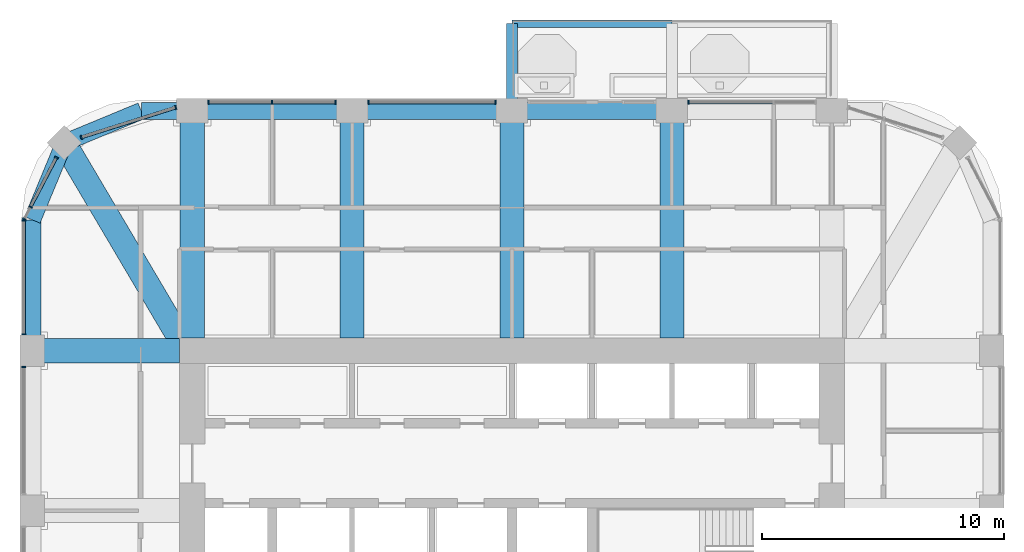
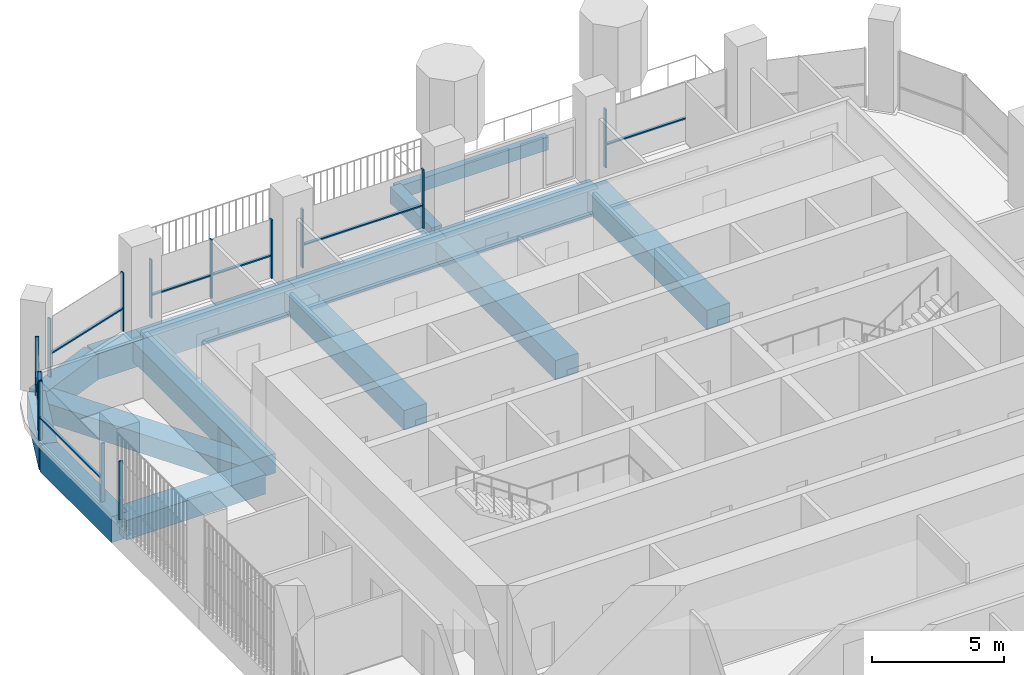
# One storey, part 6 of 21: 21 members, 15 beams, 7 elements without a shape of their own.
"""IFC4 building model written with IfcOpenShell, lengths in metres."""

from ifc_helpers import new_model, si_unit, direction, frame, origin, origin_2d, place, context, subcontext, project, spatial, rectangle, extrude, material, material_profile, profile_set, type_object, element, aggregate, save


model = new_model("IFC4")

# Units and contexts
model_context = context("Model", 3, precision=1e-05, world=origin(), true_north=direction((0.0, 1.0)))
body_context = subcontext(model_context, "Body", "Model", "MODEL_VIEW")
ifc_project = project(units=[si_unit("LENGTHUNIT", "METRE"), si_unit("AREAUNIT", "SQUARE_METRE"), si_unit("VOLUMEUNIT", "CUBIC_METRE"), si_unit("PLANEANGLEUNIT", "RADIAN"), si_unit("MASSUNIT", "GRAM", prefix="KILO")], contexts=[model_context])

# Site, building, storey
site_placement = place(None, origin())
site = spatial("IfcSite", under=ifc_project, at=site_placement, CompositionType="ELEMENT")
building_placement = place(site_placement, origin())
building = spatial("IfcBuilding", under=site, at=building_placement, Name="Cobogo Forest Laboratory Tower", CompositionType="ELEMENT")
storey_placement = place(building_placement, frame((0.0, 0.0, 250.199951171875)))
storey = spatial("IfcBuildingStorey", under=building, at=storey_placement, Name="L57", CompositionType="ELEMENT", Elevation=250.199951171875)

# Beams
ifc_material_1 = material(Name="Concrete HA-40 (C40/50)", Category="concrete")
ifc_material_profile_1 = material_profile(ifc_material_1, rectangle(XDim=0.449951171875, YDim=0.75, at=origin_2d()), Name="RC 450x750")
ifc_profile_set_1 = profile_set([ifc_material_profile_1], Name="Concrete HA-40 (C40/50)")
beam_type_1 = type_object("IfcBeamType", Name="Balcony cantilever beam 450x750", PredefinedType="BEAM", material=ifc_profile_set_1)
beam_1_placement = place(storey_placement, frame((26.39990234375, 43.35009765625, -0.625), z_axis=(0.0, 1.0, 0.0), x_axis=(-1.0, 0.0, 0.0)))
element("IfcBeam", 1, at=beam_1_placement, inside=storey, type_object=beam_type_1, Name="CB1 BAL-N1-C1 L57", PredefinedType="BEAM", context=body_context, shape_type="SweptSolid", body=[
    extrude(rectangle(XDim=0.449951171875, YDim=0.75, at=origin_2d()), origin(), (0.0, 0.0, 1.0), 3.14990234375),
])
ifc_material_profile_2 = material_profile(ifc_material_1, rectangle(XDim=0.300048828125, YDim=0.60009765625, at=origin_2d()), Name="RC 300x600")
ifc_profile_set_2 = profile_set([ifc_material_profile_2], Name="Concrete HA-40 (C40/50)")
beam_type_2 = type_object("IfcBeamType", Name="Balcony edge beam 300x600", PredefinedType="BEAM", material=ifc_profile_set_2)
beam_2_placement = place(storey_placement, frame((26.39990234375, 46.5, -0.550048828125), z_axis=(1.0, 0.0, 0.0), x_axis=(0.0, 1.0, 0.0)))
element("IfcBeam", 2, at=beam_2_placement, inside=storey, type_object=beam_type_2, Name="BB1 BAL-N1-T1 L57", PredefinedType="BEAM", context=body_context, shape_type="SweptSolid", body=[
    extrude(rectangle(XDim=0.300048828125, YDim=0.60009765625, at=origin_2d()), origin(), (0.0, 0.0, 1.0), 6.60009765625),
])

# Curtain wall, member
ifc_material_2 = material(Name="Aluminium curtain wall", Category="aluminium")
curtain_wall_type = type_object("IfcCurtainWallType", Name="CW-2 unitised curtain wall, solar control glazing, laboratory floors zones C and D", PredefinedType="USERDEFINED", material=ifc_material_2)
curtain_wall_1_placement = place(storey_placement, origin())
curtain_wall_1 = element("IfcCurtainWall", 3, at=curtain_wall_1_placement, inside=storey, type_object=curtain_wall_type, Name="Curtain wall 14 L57", ObjectType="UNITISED CURTAIN WALL", PredefinedType="USERDEFINED")
ifc_material_3 = material(Name="Aluminium mullion", Category="aluminium")
ifc_material_profile_3 = material_profile(ifc_material_3, rectangle(XDim=0.06005859375, YDim=0.159912109375, at=origin_2d()), Name="AL 60x160")
ifc_profile_set_3 = profile_set([ifc_material_profile_3], Name="Aluminium mullion")
member_type_1 = type_object("IfcMemberType", Name="MU-1 aluminium mullion 60x160", PredefinedType="MULLION", material=ifc_profile_set_3)
member_1_placement = place(storey_placement, frame((33.679931640625, 43.25, 0.0), z_axis=(0.0, 0.0, 1.0), x_axis=(-1.0, 0.0, 0.0)))
member_1 = element("IfcMember", 4, at=member_1_placement, type_object=member_type_1, Name="CW-2 mullion 3", PredefinedType="MULLION", context=body_context, shape_type="SweptSolid", body=[
    extrude(rectangle(XDim=0.06005859375, YDim=0.159912109375, at=origin_2d()), origin(), (0.0, 0.0, 1.0), 2.699951171875),
])

# Curtain wall, members
curtain_wall_2_placement = place(storey_placement, origin())
curtain_wall_2 = element("IfcCurtainWall", 5, at=curtain_wall_2_placement, inside=storey, type_object=curtain_wall_type, Name="Curtain wall 16 L57", ObjectType="UNITISED CURTAIN WALL", PredefinedType="USERDEFINED")
member_2_placement = place(storey_placement, frame((25.719970703125, 43.25, 0.0), z_axis=(0.0, 0.0, 1.0), x_axis=(-1.0, 0.0, 0.0)))
member_2 = element("IfcMember", 6, at=member_2_placement, type_object=member_type_1, Name="CW-2 mullion 1", PredefinedType="MULLION", context=body_context, shape_type="SweptSolid", body=[
    extrude(rectangle(XDim=0.06005859375, YDim=0.159912109375, at=origin_2d()), origin(), (0.0, 0.0, 1.0), 2.699951171875),
])
member_3_placement = place(storey_placement, frame((20.47998046875, 43.25, 0.0), z_axis=(0.0, 0.0, 1.0), x_axis=(-1.0, 0.0, 0.0)))
member_3 = element("IfcMember", 7, at=member_3_placement, type_object=member_type_1, Name="CW-2 mullion 2", PredefinedType="MULLION", context=body_context, shape_type="SweptSolid", body=[
    extrude(rectangle(XDim=0.06005859375, YDim=0.159912109375, at=origin_2d()), origin(), (0.0, 0.0, 1.0), 2.699951171875),
])

curtain_wall_3_placement = place(storey_placement, origin())
curtain_wall_3 = element("IfcCurtainWall", 8, at=curtain_wall_3_placement, inside=storey, type_object=curtain_wall_type, Name="Curtain wall 17 L57", ObjectType="UNITISED CURTAIN WALL", PredefinedType="USERDEFINED")
member_4_placement = place(storey_placement, frame((19.1201171875, 43.25, 0.0), z_axis=(0.0, 0.0, 1.0), x_axis=(-1.0, 0.0, 0.0)))
member_4 = element("IfcMember", 9, at=member_4_placement, type_object=member_type_1, Name="CW-2 mullion 1", PredefinedType="MULLION", context=body_context, shape_type="SweptSolid", body=[
    extrude(rectangle(XDim=0.06005859375, YDim=0.159912109375, at=origin_2d()), origin(), (0.0, 0.0, 1.0), 2.699951171875),
])
member_5_placement = place(storey_placement, frame((16.5, 43.25, 0.0), z_axis=(0.0, 0.0, 1.0), x_axis=(-1.0, 0.0, 0.0)))
member_5 = element("IfcMember", 10, at=member_5_placement, type_object=member_type_1, Name="CW-2 mullion 2", PredefinedType="MULLION", context=body_context, shape_type="SweptSolid", body=[
    extrude(rectangle(XDim=0.06005859375, YDim=0.159912109375, at=origin_2d()), origin(), (0.0, 0.0, 1.0), 2.699951171875),
])
member_6_placement = place(storey_placement, frame((13.8798828125, 43.25, 0.0), z_axis=(0.0, 0.0, 1.0), x_axis=(-1.0, 0.0, 0.0)))
member_6 = element("IfcMember", 11, at=member_6_placement, type_object=member_type_1, Name="CW-2 mullion 3", PredefinedType="MULLION", context=body_context, shape_type="SweptSolid", body=[
    extrude(rectangle(XDim=0.06005859375, YDim=0.159912109375, at=origin_2d()), origin(), (0.0, 0.0, 1.0), 2.699951171875),
])

curtain_wall_4_placement = place(storey_placement, origin())
curtain_wall_4 = element("IfcCurtainWall", 12, at=curtain_wall_4_placement, inside=storey, type_object=curtain_wall_type, Name="Curtain wall 18 L57", ObjectType="UNITISED CURTAIN WALL", PredefinedType="USERDEFINED")
member_7_placement = place(storey_placement, frame((12.521484375, 43.03564453125, 0.0), z_axis=(0.0, 0.0, 1.0), x_axis=(-0.953581386052, -0.301135418334, 0.0)))
member_7 = element("IfcMember", 13, at=member_7_placement, type_object=member_type_1, Name="CW-2 mullion 1", PredefinedType="MULLION", context=body_context, shape_type="SweptSolid", body=[
    extrude(rectangle(XDim=0.06005859375, YDim=0.159912109375, at=origin_2d()), origin(), (0.0, 0.0, 1.0), 2.699951171875),
])
member_8_placement = place(storey_placement, frame((8.623779296875, 41.804931640625, 0.0), z_axis=(0.0, 0.0, 1.0), x_axis=(-0.953581386052, -0.301135418334, 0.0)))
member_8 = element("IfcMember", 14, at=member_8_placement, type_object=member_type_1, Name="CW-2 mullion 2", PredefinedType="MULLION", context=body_context, shape_type="SweptSolid", body=[
    extrude(rectangle(XDim=0.06005859375, YDim=0.159912109375, at=origin_2d()), origin(), (0.0, 0.0, 1.0), 2.699951171875),
])

curtain_wall_5_placement = place(storey_placement, origin())
curtain_wall_5 = element("IfcCurtainWall", 15, at=curtain_wall_5_placement, inside=storey, type_object=curtain_wall_type, Name="Curtain wall 19 L57", ObjectType="UNITISED CURTAIN WALL", PredefinedType="USERDEFINED")
member_9_placement = place(storey_placement, frame((7.59765625, 40.970947265625, 0.0), z_axis=(0.0, 0.0, 1.0), x_axis=(-0.464283791352, -0.885686491422, 0.0)))
member_9 = element("IfcMember", 16, at=member_9_placement, type_object=member_type_1, Name="CW-2 mullion 1", PredefinedType="MULLION", context=body_context, shape_type="SweptSolid", body=[
    extrude(rectangle(XDim=0.06005859375, YDim=0.159912109375, at=origin_2d()), origin(), (0.0, 0.0, 1.0), 2.699951171875),
])
member_10_placement = place(storey_placement, frame((6.531494140625, 38.937255859375, 0.0), z_axis=(0.0, 0.0, 1.0), x_axis=(-0.464283791352, -0.885686491422, 0.0)))
member_10 = element("IfcMember", 17, at=member_10_placement, type_object=member_type_1, Name="CW-2 mullion 2", PredefinedType="MULLION", context=body_context, shape_type="SweptSolid", body=[
    extrude(rectangle(XDim=0.06005859375, YDim=0.159912109375, at=origin_2d()), origin(), (0.0, 0.0, 1.0), 2.699951171875),
])
member_11_placement = place(storey_placement, frame((6.263916015625, 38.426513671875, 0.0), z_axis=(0.0, 0.0, 1.0), x_axis=(-0.464283791352, -0.885686491422, 0.0)))
member_11 = element("IfcMember", 18, at=member_11_placement, type_object=member_type_1, Name="CW-2 mullion 3", PredefinedType="MULLION", context=body_context, shape_type="SweptSolid", body=[
    extrude(rectangle(XDim=0.06005859375, YDim=0.159912109375, at=origin_2d()), origin(), (0.0, 0.0, 1.0), 2.699951171875),
])

curtain_wall_6_placement = place(storey_placement, origin())
curtain_wall_6 = element("IfcCurtainWall", 19, at=curtain_wall_6_placement, inside=storey, type_object=curtain_wall_type, Name="Curtain wall 20 L57", ObjectType="UNITISED CURTAIN WALL", PredefinedType="USERDEFINED")
member_12_placement = place(storey_placement, frame((6.25, 38.3701171875, 0.0), z_axis=(0.0, 0.0, 1.0), x_axis=(0.0, -1.0, 0.0)))
member_12 = element("IfcMember", 20, at=member_12_placement, type_object=member_type_1, Name="CW-2 mullion 1", PredefinedType="MULLION", context=body_context, shape_type="SweptSolid", body=[
    extrude(rectangle(XDim=0.06005859375, YDim=0.159912109375, at=origin_2d()), origin(), (0.0, 0.0, 1.0), 2.699951171875),
])
member_13_placement = place(storey_placement, frame((6.25, 33.679931640625, 0.0), z_axis=(0.0, 0.0, 1.0), x_axis=(0.0, -1.0, 0.0)))
member_13 = element("IfcMember", 21, at=member_13_placement, type_object=member_type_1, Name="CW-2 mullion 2", PredefinedType="MULLION", context=body_context, shape_type="SweptSolid", body=[
    extrude(rectangle(XDim=0.06005859375, YDim=0.159912109375, at=origin_2d()), origin(), (0.0, 0.0, 1.0), 2.699951171875),
])

# Curtain wall, member
curtain_wall_7_placement = place(storey_placement, origin())
curtain_wall_7 = element("IfcCurtainWall", 22, at=curtain_wall_7_placement, inside=storey, type_object=curtain_wall_type, Name="Curtain wall 21 L57", ObjectType="UNITISED CURTAIN WALL", PredefinedType="USERDEFINED")
member_14_placement = place(storey_placement, frame((6.25, 32.320068359375, 0.0), z_axis=(0.0, 0.0, 1.0), x_axis=(0.0, -1.0, 0.0)))
member_14 = element("IfcMember", 23, at=member_14_placement, type_object=member_type_1, Name="CW-2 mullion 1", PredefinedType="MULLION", context=body_context, shape_type="SweptSolid", body=[
    extrude(rectangle(XDim=0.06005859375, YDim=0.159912109375, at=origin_2d()), origin(), (0.0, 0.0, 1.0), 2.699951171875),
])
aggregate(curtain_wall_7, [member_14])

# Beams
ifc_material_profile_4 = material_profile(ifc_material_1, rectangle(XDim=1.0, YDim=0.89990234375, at=origin_2d()), Name="RC 1000x900")
ifc_profile_set_4 = profile_set([ifc_material_profile_4], Name="Concrete HA-40 (C40/50)")
beam_type_3 = type_object("IfcBeamType", Name="Office floor wide beam 1000x900", PredefinedType="BEAM", material=ifc_profile_set_4)
for number, where, z_axis, x_axis, name in (
    (24, (13.199951171875, 33.52490234375, -0.75), (0.0, 1.0, 0.0), (-1.0, 0.0, 0.0), "RB2 R-3-N L57"),
    (25, (19.800048828125, 33.52490234375, -0.75), (0.0, 1.0, 0.0), (-1.0, 0.0, 0.0), "RB2 R-4-N L57"),
    (26, (26.39990234375, 33.52490234375, -0.75), (0.0, 1.0, 0.0), (-1.0, 0.0, 0.0), "RB2 R-5-N L57"),
    (27, (33.0, 33.52490234375, -0.75), (0.0, 1.0, 0.0), (-1.0, 0.0, 0.0), "RB2 R-6-N L57"),
):
    element("IfcBeam", number, at=place(storey_placement, frame(where, z_axis=z_axis, x_axis=x_axis)), inside=storey, type_object=beam_type_3, Name=name, PredefinedType="BEAM", context=body_context, shape_type="SweptSolid", body=[
        extrude(rectangle(XDim=1.0, YDim=0.89990234375, at=origin_2d()), origin(), (0.0, 0.0, 1.0), 9.375),
    ])
beam_3_placement = place(storey_placement, frame((12.675048828125, 33.0, -0.75), z_axis=(-1.0, 0.0, 0.0), x_axis=(0.0, -1.0, 0.0)))
element("IfcBeam", 28, at=beam_3_placement, inside=storey, type_object=beam_type_3, Name="RB2 R-F-W L57", PredefinedType="BEAM", context=body_context, shape_type="SweptSolid", body=[
    extrude(rectangle(XDim=1.0, YDim=0.89990234375, at=origin_2d()), origin(), (0.0, 0.0, 1.0), 6.074951171875),
])
beam_4_placement = place(storey_placement, frame((7.91796875, 41.58203125, -0.75), z_axis=(0.508416325908, -0.861111397875, 0.0), x_axis=(0.861111397875, 0.508416325908, 0.0)))
element("IfcBeam", 29, at=beam_4_placement, inside=storey, type_object=beam_type_3, Name="RB2 G-NW-D1 L57", PredefinedType="BEAM", context=body_context, shape_type="SweptSolid", body=[
    extrude(rectangle(XDim=1.0, YDim=0.89990234375, at=origin_2d()), origin(), (0.0, 0.0, 1.0), 9.356689453125),
])
ifc_material_profile_5 = material_profile(ifc_material_1, rectangle(XDim=0.699951171875, YDim=1.199951171875, at=origin_2d()), Name="RC 700x1200")
ifc_profile_set_5 = profile_set([ifc_material_profile_5], Name="Concrete HA-40 (C40/50)")
beam_type_4 = type_object("IfcBeamType", Name="Perimeter edge beam 700x1200", PredefinedType="BEAM", material=ifc_profile_set_5)
beam_5_placement = place(storey_placement, frame((13.199951171875, 42.89990234375, -0.89990234375), z_axis=(1.0, 0.0, 0.0), x_axis=(0.0, 1.0, 0.0)))
element("IfcBeam", 30, at=beam_5_placement, inside=storey, type_object=beam_type_4, Name="EB1 E-N1 L57", PredefinedType="BEAM", context=body_context, shape_type="SweptSolid", body=[
    extrude(rectangle(XDim=0.699951171875, YDim=1.199951171875, at=origin_2d()), origin(), (0.0, 0.0, 1.0), 6.60009765625),
])
beam_6_placement = place(storey_placement, frame((19.800048828125, 42.89990234375, -0.89990234375), z_axis=(1.0, 0.0, 0.0), x_axis=(0.0, 1.0, 0.0)))
element("IfcBeam", 31, at=beam_6_placement, inside=storey, type_object=beam_type_4, Name="EB1 E-N2 L57", PredefinedType="BEAM", context=body_context, shape_type="SweptSolid", body=[
    extrude(rectangle(XDim=0.699951171875, YDim=1.199951171875, at=origin_2d()), origin(), (0.0, 0.0, 1.0), 6.599853515625),
])
beam_7_placement = place(storey_placement, frame((26.39990234375, 42.89990234375, -0.89990234375), z_axis=(1.0, 0.0, 0.0), x_axis=(0.0, 1.0, 0.0)))
element("IfcBeam", 32, at=beam_7_placement, inside=storey, type_object=beam_type_4, Name="EB1 E-N3 L57", PredefinedType="BEAM", context=body_context, shape_type="SweptSolid", body=[
    extrude(rectangle(XDim=0.699951171875, YDim=1.199951171875, at=origin_2d()), origin(), (0.0, 0.0, 1.0), 6.60009765625),
])
beam_8_placement = place(storey_placement, frame((13.199951171875, 42.89990234375, -0.89990234375), z_axis=(-1.0, 0.0, 0.0), x_axis=(0.0, -1.0, 0.0)))
element("IfcBeam", 33, at=beam_8_placement, inside=storey, type_object=beam_type_4, Name="EB1 E-NWN1 L57", PredefinedType="BEAM", context=body_context, shape_type="SweptSolid", body=[
    extrude(rectangle(XDim=0.699951171875, YDim=1.199951171875, at=origin_2d()), origin(), (0.0, 0.0, 1.0), 2.099853515625),
])
beam_9_placement = place(storey_placement, frame((11.10009765625, 42.89990234375, -0.89990234375), z_axis=(-0.923901072997, -0.382631424892, 0.0), x_axis=(0.382631424892, -0.923901072997, 0.0)))
element("IfcBeam", 34, at=beam_9_placement, inside=storey, type_object=beam_type_4, Name="EB1 E-NWN2 L57", PredefinedType="BEAM", context=body_context, shape_type="SweptSolid", body=[
    extrude(rectangle(XDim=0.699951171875, YDim=1.199951171875, at=origin_2d()), origin(), (0.0, 0.0, 1.0), 3.4443359375),
])
beam_10_placement = place(storey_placement, frame((6.60009765625, 33.0, -0.89990234375), z_axis=(0.0, 1.0, 0.0), x_axis=(-1.0, 0.0, 0.0)))
element("IfcBeam", 35, at=beam_10_placement, inside=storey, type_object=beam_type_4, Name="EB1 E-NWW1 L57", PredefinedType="BEAM", context=body_context, shape_type="SweptSolid", body=[
    extrude(rectangle(XDim=0.699951171875, YDim=1.199951171875, at=origin_2d()), origin(), (0.0, 0.0, 1.0), 5.39990234375),
])
beam_11_placement = place(storey_placement, frame((6.60009765625, 38.39990234375, -0.89990234375), z_axis=(0.382631424892, 0.923901072997, 0.0), x_axis=(-0.923901072997, 0.382631424892, 0.0)))
element("IfcBeam", 36, at=beam_11_placement, inside=storey, type_object=beam_type_4, Name="EB1 E-NWW2 L57", PredefinedType="BEAM", context=body_context, shape_type="SweptSolid", body=[
    extrude(rectangle(XDim=0.699951171875, YDim=1.199951171875, at=origin_2d()), origin(), (0.0, 0.0, 1.0), 3.4443359375),
])

# Member
ifc_material_4 = material(Name="Aluminium transom", Category="aluminium")
ifc_material_profile_6 = material_profile(ifc_material_4, rectangle(XDim=0.1201171875, YDim=0.06005859375, at=origin_2d()), Name="AL 60x120")
ifc_profile_set_6 = profile_set([ifc_material_profile_6], Name="Aluminium transom")
member_type_2 = type_object("IfcMemberType", Name="TR-1 aluminium transom 60x120", PredefinedType="USERDEFINED", material=ifc_profile_set_6)
member_15_placement = place(storey_placement, frame((37.169921875, 43.25, 1.050048828125), z_axis=(-1.0, 0.0, 0.0), x_axis=(0.0, -1.0, 0.0)))
member_15 = element("IfcMember", 37, at=member_15_placement, type_object=member_type_2, Name="CW-2 transom 2.1", ObjectType="TRANSOM", PredefinedType="USERDEFINED", context=body_context, shape_type="SweptSolid", body=[
    extrude(rectangle(XDim=0.1201171875, YDim=0.06005859375, at=origin_2d()), origin(), (0.0, 0.0, 1.0), 3.4599609375),
])

aggregate(curtain_wall_1, [member_1, member_15])

member_16_placement = place(storey_placement, frame((25.68994140625, 43.25, 1.050048828125), z_axis=(-1.0, 0.0, 0.0), x_axis=(0.0, -1.0, 0.0)))
member_16 = element("IfcMember", 38, at=member_16_placement, type_object=member_type_2, Name="CW-2 transom 1.1", ObjectType="TRANSOM", PredefinedType="USERDEFINED", context=body_context, shape_type="SweptSolid", body=[
    extrude(rectangle(XDim=0.1201171875, YDim=0.06005859375, at=origin_2d()), origin(), (0.0, 0.0, 1.0), 5.179931640625),
])

aggregate(curtain_wall_2, [member_2, member_3, member_16])

member_17_placement = place(storey_placement, frame((19.090087890625, 43.25, 1.050048828125), z_axis=(-1.0, 0.0, 0.0), x_axis=(0.0, -1.0, 0.0)))
member_17 = element("IfcMember", 39, at=member_17_placement, type_object=member_type_2, Name="CW-2 transom 1.1", ObjectType="TRANSOM", PredefinedType="USERDEFINED", context=body_context, shape_type="SweptSolid", body=[
    extrude(rectangle(XDim=0.1201171875, YDim=0.06005859375, at=origin_2d()), origin(), (0.0, 0.0, 1.0), 2.56005859375),
])

member_18_placement = place(storey_placement, frame((16.469970703125, 43.25, 1.050048828125), z_axis=(-1.0, 0.0, 0.0), x_axis=(0.0, -1.0, 0.0)))
member_18 = element("IfcMember", 40, at=member_18_placement, type_object=member_type_2, Name="CW-2 transom 2.1", ObjectType="TRANSOM", PredefinedType="USERDEFINED", context=body_context, shape_type="SweptSolid", body=[
    extrude(rectangle(XDim=0.1201171875, YDim=0.06005859375, at=origin_2d()), origin(), (0.0, 0.0, 1.0), 2.56005859375),
])

aggregate(curtain_wall_3, [member_4, member_5, member_6, member_17, member_18])

member_19_placement = place(storey_placement, frame((12.49267578125, 43.026611328125, 1.050048828125), z_axis=(-0.953589078362, -0.301111058628, 0.0), x_axis=(0.301111058628, -0.953589078362, 0.0)))
member_19 = element("IfcMember", 41, at=member_19_placement, type_object=member_type_2, Name="CW-2 transom 1.1", ObjectType="TRANSOM", PredefinedType="USERDEFINED", context=body_context, shape_type="SweptSolid", body=[
    extrude(rectangle(XDim=0.1201171875, YDim=0.06005859375, at=origin_2d()), origin(), (0.0, 0.0, 1.0), 4.02734375),
])

aggregate(curtain_wall_4, [member_7, member_8, member_19])

member_20_placement = place(storey_placement, frame((7.583740234375, 40.9443359375, 1.050048828125), z_axis=(-0.464292517379, -0.885681917116, 0.0), x_axis=(0.885681917116, -0.464292517379, 0.0)))
member_20 = element("IfcMember", 42, at=member_20_placement, type_object=member_type_2, Name="CW-2 transom 1.1", ObjectType="TRANSOM", PredefinedType="USERDEFINED", context=body_context, shape_type="SweptSolid", body=[
    extrude(rectangle(XDim=0.1201171875, YDim=0.06005859375, at=origin_2d()), origin(), (0.0, 0.0, 1.0), 2.236328125),
])

aggregate(curtain_wall_5, [member_9, member_10, member_11, member_20])

member_21_placement = place(storey_placement, frame((6.25, 38.340087890625, 1.050048828125), z_axis=(0.0, -1.0, 0.0), x_axis=(1.0, 0.0, 0.0)))
member_21 = element("IfcMember", 43, at=member_21_placement, type_object=member_type_2, Name="CW-2 transom 1.1", ObjectType="TRANSOM", PredefinedType="USERDEFINED", context=body_context, shape_type="SweptSolid", body=[
    extrude(rectangle(XDim=0.1201171875, YDim=0.06005859375, at=origin_2d()), origin(), (0.0, 0.0, 1.0), 4.630126953125),
])

aggregate(curtain_wall_6, [member_12, member_13, member_21])

save(model, "model.ifc")
